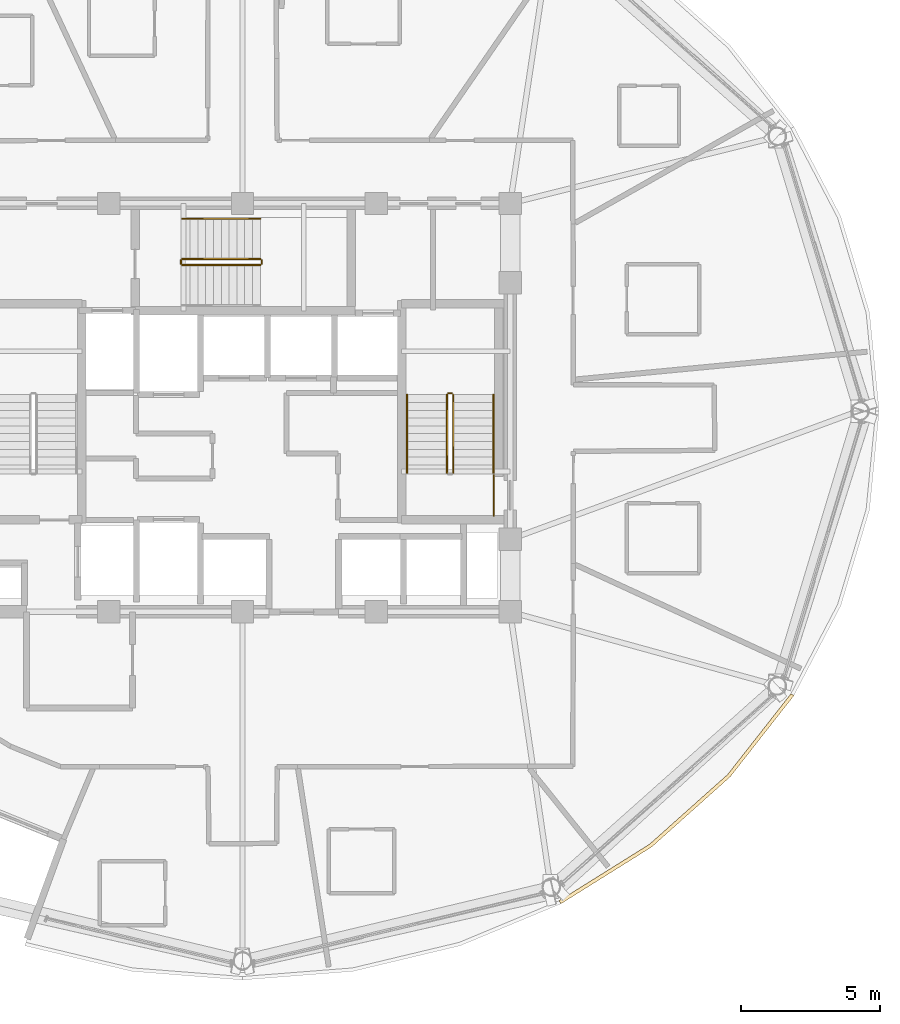
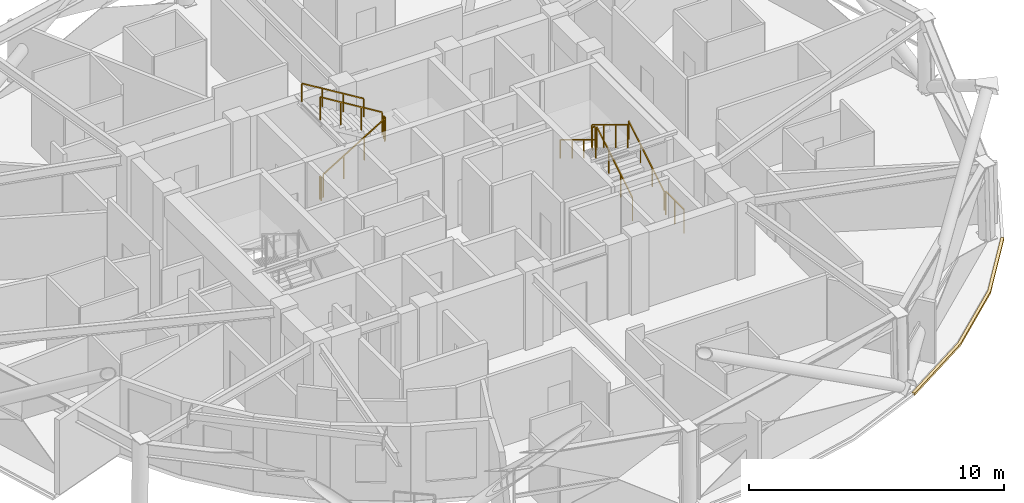
# One storey, part 17 of 18: 11 railings, 1 covering.
"""IFC4 building model written with IfcOpenShell, lengths in metres."""

from ifc_helpers import new_model, si_unit, direction, frame, origin, origin_2d, place, context, subcontext, project, spatial, polyline, rectangle, outline, extrude, material, layer, layer_set, type_object, element, save


model = new_model("IFC4")

# Units and contexts
model_context = context("Model", 3, precision=1e-05, world=origin(), true_north=direction((0.0, 1.0)))
body_context = subcontext(model_context, "Body", "Model", "MODEL_VIEW")
ifc_project = project(units=[si_unit("LENGTHUNIT", "METRE"), si_unit("AREAUNIT", "SQUARE_METRE"), si_unit("VOLUMEUNIT", "CUBIC_METRE"), si_unit("PLANEANGLEUNIT", "RADIAN"), si_unit("MASSUNIT", "GRAM", prefix="KILO")], contexts=[model_context])

# Site, building, storey
site_placement = place(None, origin())
site = spatial("IfcSite", under=ifc_project, at=site_placement, CompositionType="ELEMENT")
building_placement = place(site_placement, origin())
building = spatial("IfcBuilding", under=site, at=building_placement, Name="Vantalir Tower", CompositionType="ELEMENT")
storey_placement = place(building_placement, frame((0.0, 0.0, 212.39990234375)))
storey = spatial("IfcBuildingStorey", under=building, at=storey_placement, Name="L53", CompositionType="ELEMENT", Elevation=212.39990234375)

# Covering
ifc_material_1 = material(Name="Anodised champagne aluminium sill fascia", Category="aluminium")
ifc_layer = layer(ifc_material_1, 0.125)
ifc_layer_set = layer_set([ifc_layer], Name="Anodised champagne aluminium sill fascia")
covering_type = type_object("IfcCoveringType", Name="COV-SLAB-FASCIA-125", PredefinedType="CLADDING", material=ifc_layer_set)
covering_placement = place(storey_placement, frame((0.0, 0.0, -0.179931640625)))
element("IfcCovering", 1, at=covering_placement, inside=storey, type_object=covering_type, Name="L53 Perimeter Slab-Edge Sill Fascia 11", PredefinedType="CLADDING", context=body_context, shape_type="SweptSolid", body=[
    extrude(outline(polyline([(42.91796875, 7.3310546875), (46.178955078125, 9.37109375), (48.992919921875, 11.885986328125), (51.277099609375, 14.799072265625), (51.16796875, 14.861083984375), (48.89794921875, 11.966064453125), (46.097900390625, 9.467041015625), (42.85595703125, 7.43994140625), (42.91796875, 7.3310546875)])), origin(), (0.0, 0.0, 1.0), 0.10498046875),
])

# Railings
ifc_material_2 = material(Name="Anodised aluminium and stainless steel guard", Category="steel")
railing_type_1 = type_object("IfcRailingType", Name="RAL-GUARD-1120", PredefinedType="GUARDRAIL", material=ifc_material_2)
railing_1_placement = place(storey_placement, frame((39.06005859375, 22.7900390625, 0.170654296875)))
element("IfcRailing", 2, at=railing_1_placement, inside=storey, type_object=railing_type_1, Name="L53 ST2 stair guard 1", PredefinedType="GUARDRAIL", context=body_context, shape_type="SweptSolid", body=[
    extrude(rectangle(XDim=0.048095703125, YDim=0.048095703125, at=origin_2d()), frame((0.0, 0.0, 1.09619140625), z_axis=(0.0, 0.854202870247, 0.519939858505), x_axis=(-1.0, 0.0, 0.0)), (0.0, 0.0, 1.0), 3.278076171875),
    extrude(rectangle(XDim=0.0419921875, YDim=0.0419921875, at=origin_2d()), origin(), (0.0, 0.0, 1.0), 1.072021484375),
    extrude(rectangle(XDim=0.0419921875, YDim=0.0419921875, at=origin_2d()), frame((0.0, 0.933349609375, 0.568115234375)), (0.0, 0.0, 1.0), 1.072021484375),
    extrude(rectangle(XDim=0.0419921875, YDim=0.0419921875, at=origin_2d()), frame((0.0, 1.86669921875, 1.13623046875)), (0.0, 0.0, 1.0), 1.072021484375),
    extrude(rectangle(XDim=0.0419921875, YDim=0.0419921875, at=origin_2d()), frame((0.0, 2.800048828125, 1.704345703125)), (0.0, 0.0, 1.0), 1.072021484375),
])
railing_2_placement = place(storey_placement, frame((39.010009765625, 25.639892578125, 1.875)))
element("IfcRailing", 3, at=railing_2_placement, inside=storey, type_object=railing_type_1, Name="L53 ST2 stair guard 2", PredefinedType="GUARDRAIL", context=body_context, shape_type="SweptSolid", body=[
    extrude(rectangle(XDim=0.048095703125, YDim=0.048095703125, at=origin_2d()), frame((0.0, 0.0, 1.09619140625), z_axis=(-1.0, 0.0, 0.0), x_axis=(0.0, -1.0, 0.0)), (0.0, 0.0, 1.0), 0.1201171875),
    extrude(rectangle(XDim=0.0419921875, YDim=0.0419921875, at=origin_2d()), origin(), (0.0, 0.0, 1.0), 1.072021484375),
    extrude(rectangle(XDim=0.0419921875, YDim=0.0419921875, at=origin_2d()), frame((-0.1201171875, 0.0, 0.0)), (0.0, 0.0, 1.0), 1.072021484375),
])
railing_3_placement = place(storey_placement, frame((38.840087890625, 25.590087890625, 2.045654296875)))
element("IfcRailing", 4, at=railing_3_placement, inside=storey, type_object=railing_type_1, Name="L53 ST2 stair guard 3", PredefinedType="GUARDRAIL", context=body_context, shape_type="SweptSolid", body=[
    extrude(rectangle(XDim=0.048095703125, YDim=0.048095703125, at=origin_2d()), frame((0.0, 0.0, 1.09619140625), z_axis=(0.0, -0.854202870247, 0.519939858505), x_axis=(1.0, 0.0, 0.0)), (0.0, 0.0, 1.0), 3.278076171875),
    extrude(rectangle(XDim=0.0419921875, YDim=0.0419921875, at=origin_2d()), origin(), (0.0, 0.0, 1.0), 1.072021484375),
    extrude(rectangle(XDim=0.0419921875, YDim=0.0419921875, at=origin_2d()), frame((0.0, -0.933349609375, 0.568115234375)), (0.0, 0.0, 1.0), 1.072021484375),
    extrude(rectangle(XDim=0.0419921875, YDim=0.0419921875, at=origin_2d()), frame((0.0, -1.86669921875, 1.13623046875)), (0.0, 0.0, 1.0), 1.072021484375),
    extrude(rectangle(XDim=0.0419921875, YDim=0.0419921875, at=origin_2d()), frame((0.0, -2.800048828125, 1.704345703125)), (0.0, 0.0, 1.0), 1.072021484375),
])
railing_4_placement = place(storey_placement, frame((29.340087890625, 30.239990234375, 0.170654296875)))
element("IfcRailing", 5, at=railing_4_placement, inside=storey, type_object=railing_type_1, Name="L53 ST3 stair guard 1", PredefinedType="GUARDRAIL", context=body_context, shape_type="SweptSolid", body=[
    extrude(rectangle(XDim=0.048095703125, YDim=0.048095703125, at=origin_2d()), frame((0.0, 0.0, 1.09619140625), z_axis=(0.854182733786, 0.0, 0.519972939009), x_axis=(0.0, 1.0, 0.0)), (0.0, 0.0, 1.0), 3.27783203125),
    extrude(rectangle(XDim=0.0419921875, YDim=0.0419921875, at=origin_2d()), origin(), (0.0, 0.0, 1.0), 1.072021484375),
    extrude(rectangle(XDim=0.0419921875, YDim=0.0419921875, at=origin_2d()), frame((0.933349609375, 0.0, 0.568115234375)), (0.0, 0.0, 1.0), 1.072021484375),
    extrude(rectangle(XDim=0.0419921875, YDim=0.0419921875, at=origin_2d()), frame((1.866455078125, 0.0, 1.13623046875)), (0.0, 0.0, 1.0), 1.072021484375),
    extrude(rectangle(XDim=0.0419921875, YDim=0.0419921875, at=origin_2d()), frame((2.7998046875, 0.0, 1.704345703125)), (0.0, 0.0, 1.0), 1.072021484375),
])
railing_5_placement = place(storey_placement, frame((32.18994140625, 30.2900390625, 1.875)))
element("IfcRailing", 6, at=railing_5_placement, inside=storey, type_object=railing_type_1, Name="L53 ST3 stair guard 2", PredefinedType="GUARDRAIL", context=body_context, shape_type="SweptSolid", body=[
    extrude(rectangle(XDim=0.048095703125, YDim=0.048095703125, at=origin_2d()), frame((0.0, 0.0, 1.09619140625), z_axis=(0.0, 1.0, 0.0), x_axis=(-1.0, 0.0, 0.0)), (0.0, 0.0, 1.0), 0.119873046875),
    extrude(rectangle(XDim=0.0419921875, YDim=0.0419921875, at=origin_2d()), origin(), (0.0, 0.0, 1.0), 1.072021484375),
    extrude(rectangle(XDim=0.0419921875, YDim=0.0419921875, at=origin_2d()), frame((0.0, 0.119873046875, 0.0)), (0.0, 0.0, 1.0), 1.072021484375),
])
railing_6_placement = place(storey_placement, frame((32.139892578125, 30.4599609375, 2.045654296875)))
element("IfcRailing", 7, at=railing_6_placement, inside=storey, type_object=railing_type_1, Name="L53 ST3 stair guard 3", PredefinedType="GUARDRAIL", context=body_context, shape_type="SweptSolid", body=[
    extrude(rectangle(XDim=0.048095703125, YDim=0.048095703125, at=origin_2d()), frame((0.0, 0.0, 1.09619140625), z_axis=(-0.854182733786, 0.0, 0.519972939009), x_axis=(0.0, -1.0, 0.0)), (0.0, 0.0, 1.0), 3.27783203125),
    extrude(rectangle(XDim=0.0419921875, YDim=0.0419921875, at=origin_2d()), origin(), (0.0, 0.0, 1.0), 1.072021484375),
    extrude(rectangle(XDim=0.0419921875, YDim=0.0419921875, at=origin_2d()), frame((-0.933349609375, 0.0, 0.568115234375)), (0.0, 0.0, 1.0), 1.072021484375),
    extrude(rectangle(XDim=0.0419921875, YDim=0.0419921875, at=origin_2d()), frame((-1.866455078125, 0.0, 1.13623046875)), (0.0, 0.0, 1.0), 1.072021484375),
    extrude(rectangle(XDim=0.0419921875, YDim=0.0419921875, at=origin_2d()), frame((-2.7998046875, 0.0, 1.704345703125)), (0.0, 0.0, 1.0), 1.072021484375),
])
railing_7_placement = place(storey_placement, frame((29.2900390625, 30.2900390625, 0.0)))
element("IfcRailing", 8, at=railing_7_placement, inside=storey, type_object=railing_type_1, Name="L53 ST3 stair guard 4", PredefinedType="GUARDRAIL", context=body_context, shape_type="SweptSolid", body=[
    extrude(rectangle(XDim=0.048095703125, YDim=0.048095703125, at=origin_2d()), frame((0.0, 0.0, 1.09619140625), z_axis=(0.0, 1.0, 0.0), x_axis=(-1.0, 0.0, 0.0)), (0.0, 0.0, 1.0), 0.119873046875),
    extrude(rectangle(XDim=0.0419921875, YDim=0.0419921875, at=origin_2d()), origin(), (0.0, 0.0, 1.0), 1.072021484375),
    extrude(rectangle(XDim=0.0419921875, YDim=0.0419921875, at=origin_2d()), frame((0.0, 0.119873046875, 0.0)), (0.0, 0.0, 1.0), 1.072021484375),
])
railing_8_placement = place(storey_placement, frame((40.510009765625, 21.260009765625, 0.0)))
element("IfcRailing", 9, at=railing_8_placement, inside=storey, type_object=railing_type_1, Name="L53 Stair ST2 Doorway Landing Guard", PredefinedType="GUARDRAIL", context=body_context, shape_type="SweptSolid", body=[
    extrude(rectangle(XDim=0.048095703125, YDim=0.048095703125, at=origin_2d()), frame((0.0, 0.0, 1.1259765625), z_axis=(0.0, 1.0, 0.0), x_axis=(-1.0, 0.0, 0.0)), (0.0, 0.0, 1.0), 1.43994140625),
    extrude(rectangle(XDim=0.0419921875, YDim=0.0419921875, at=origin_2d()), origin(), (0.0, 0.0, 1.0), 1.101806640625),
    extrude(rectangle(XDim=0.0419921875, YDim=0.0419921875, at=origin_2d()), frame((0.0, 0.719970703125, 0.0)), (0.0, 0.0, 1.0), 1.101806640625),
    extrude(rectangle(XDim=0.0419921875, YDim=0.0419921875, at=origin_2d()), frame((0.0, 1.43994140625, 0.0)), (0.0, 0.0, 1.0), 1.101806640625),
])
ifc_material_3 = material(Name="Brushed stainless steel tubular handrail", Category="steel")
railing_type_2 = type_object("IfcRailingType", Name="RAL-HANDRAIL-900", PredefinedType="HANDRAIL", material=ifc_material_3)
railing_9_placement = place(storey_placement, frame((40.5, 22.7900390625, 0.170654296875)))
element("IfcRailing", 10, at=railing_9_placement, inside=storey, type_object=railing_type_2, Name="L53 ST2 stair handrail 1", PredefinedType="HANDRAIL", context=body_context, shape_type="SweptSolid", body=[
    extrude(rectangle(XDim=0.048095703125, YDim=0.048095703125, at=origin_2d()), frame((0.0, 0.0, 0.8759765625), z_axis=(0.0, 0.854202870247, 0.519939858505), x_axis=(-1.0, 0.0, 0.0)), (0.0, 0.0, 1.0), 3.278076171875),
    extrude(rectangle(XDim=0.0419921875, YDim=0.0419921875, at=origin_2d()), origin(), (0.0, 0.0, 1.0), 0.851806640625),
    extrude(rectangle(XDim=0.0419921875, YDim=0.0419921875, at=origin_2d()), frame((0.0, 0.933349609375, 0.568115234375)), (0.0, 0.0, 1.0), 0.851806640625),
    extrude(rectangle(XDim=0.0419921875, YDim=0.0419921875, at=origin_2d()), frame((0.0, 1.86669921875, 1.13623046875)), (0.0, 0.0, 1.0), 0.851806640625),
    extrude(rectangle(XDim=0.0419921875, YDim=0.0419921875, at=origin_2d()), frame((0.0, 2.800048828125, 1.704345703125)), (0.0, 0.0, 1.0), 0.851806640625),
])
railing_10_placement = place(storey_placement, frame((37.39990234375, 25.590087890625, 2.045654296875)))
element("IfcRailing", 11, at=railing_10_placement, inside=storey, type_object=railing_type_2, Name="L53 ST2 stair handrail 2", PredefinedType="HANDRAIL", context=body_context, shape_type="SweptSolid", body=[
    extrude(rectangle(XDim=0.048095703125, YDim=0.048095703125, at=origin_2d()), frame((0.0, 0.0, 0.8759765625), z_axis=(0.0, -0.854202870247, 0.519939858505), x_axis=(1.0, 0.0, 0.0)), (0.0, 0.0, 1.0), 3.278076171875),
    extrude(rectangle(XDim=0.0419921875, YDim=0.0419921875, at=origin_2d()), origin(), (0.0, 0.0, 1.0), 0.851806640625),
    extrude(rectangle(XDim=0.0419921875, YDim=0.0419921875, at=origin_2d()), frame((0.0, -0.933349609375, 0.568115234375)), (0.0, 0.0, 1.0), 0.851806640625),
    extrude(rectangle(XDim=0.0419921875, YDim=0.0419921875, at=origin_2d()), frame((0.0, -1.86669921875, 1.13623046875)), (0.0, 0.0, 1.0), 0.851806640625),
    extrude(rectangle(XDim=0.0419921875, YDim=0.0419921875, at=origin_2d()), frame((0.0, -2.800048828125, 1.704345703125)), (0.0, 0.0, 1.0), 0.851806640625),
])
railing_11_placement = place(storey_placement, frame((32.139892578125, 31.89990234375, 2.045654296875)))
element("IfcRailing", 12, at=railing_11_placement, inside=storey, type_object=railing_type_2, Name="L53 ST3 stair handrail 2", PredefinedType="HANDRAIL", context=body_context, shape_type="SweptSolid", body=[
    extrude(rectangle(XDim=0.048095703125, YDim=0.048095703125, at=origin_2d()), frame((0.0, 0.0, 0.8759765625), z_axis=(-0.854182733786, 0.0, 0.519972939009), x_axis=(0.0, -1.0, 0.0)), (0.0, 0.0, 1.0), 3.27783203125),
    extrude(rectangle(XDim=0.0419921875, YDim=0.0419921875, at=origin_2d()), origin(), (0.0, 0.0, 1.0), 0.851806640625),
    extrude(rectangle(XDim=0.0419921875, YDim=0.0419921875, at=origin_2d()), frame((-0.933349609375, 0.0, 0.568115234375)), (0.0, 0.0, 1.0), 0.851806640625),
    extrude(rectangle(XDim=0.0419921875, YDim=0.0419921875, at=origin_2d()), frame((-1.866455078125, 0.0, 1.13623046875)), (0.0, 0.0, 1.0), 0.851806640625),
    extrude(rectangle(XDim=0.0419921875, YDim=0.0419921875, at=origin_2d()), frame((-2.7998046875, 0.0, 1.704345703125)), (0.0, 0.0, 1.0), 0.851806640625),
])

save(model, "model.ifc")
